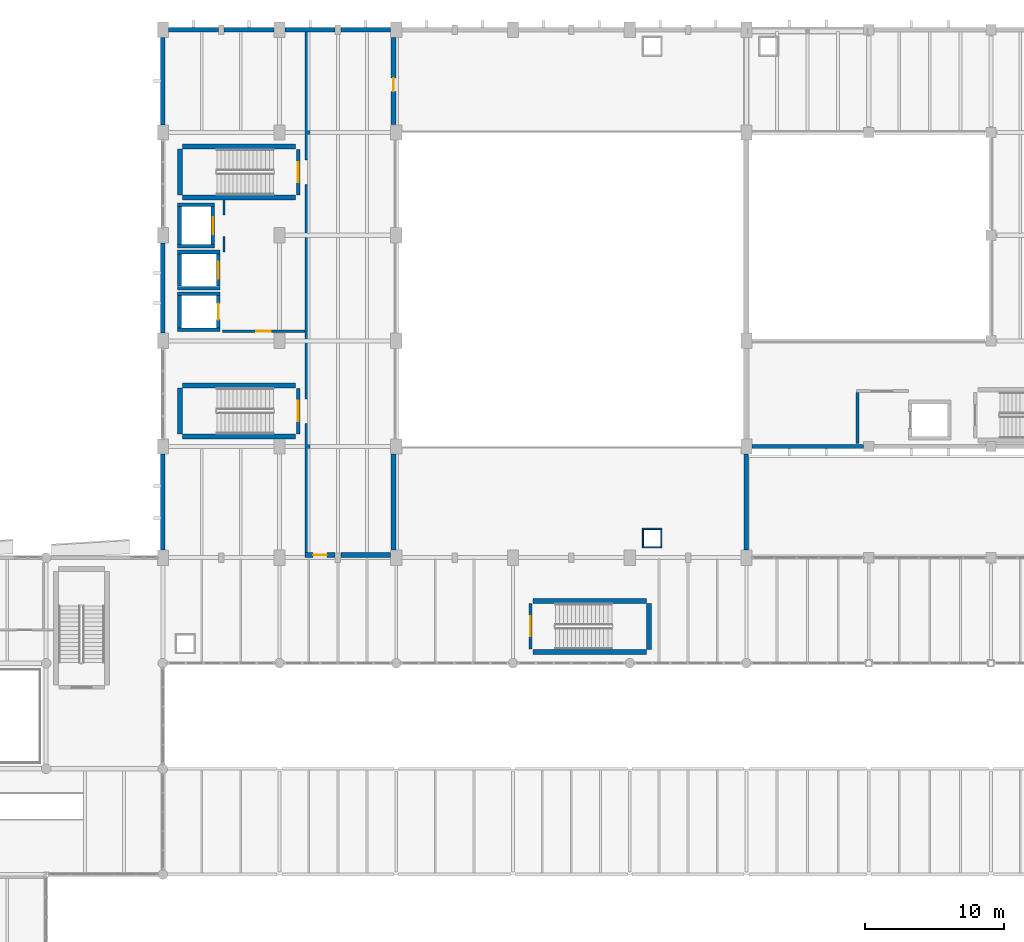
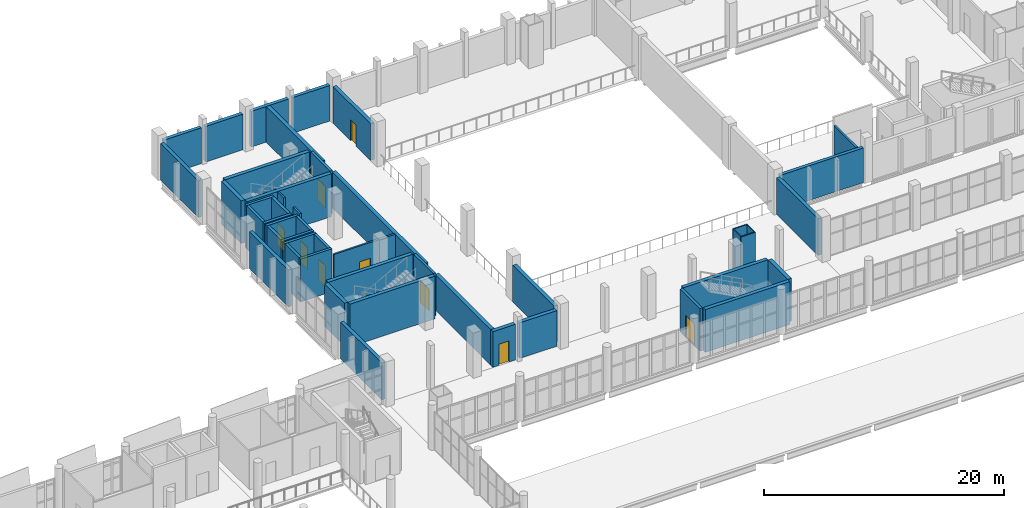
# One storey, part 120 of 136: 48 walls, 9 doors, 9 openings.
"""IFC4 building model written with IfcOpenShell, lengths in metres."""

from ifc_helpers import new_model, si_unit, direction, frame, frame_2d, origin, place, context, subcontext, project, spatial, rectangle, extrude, material, layer, layer_set, type_object, element, fill, save


model = new_model("IFC4")

# Units and contexts
model_context = context("Model", 3, precision=1e-05, world=origin(), true_north=direction((0.0, 1.0)))
body_context = subcontext(model_context, "Body", "Model", "MODEL_VIEW")
ifc_project = project(units=[si_unit("LENGTHUNIT", "METRE"), si_unit("AREAUNIT", "SQUARE_METRE"), si_unit("VOLUMEUNIT", "CUBIC_METRE"), si_unit("PLANEANGLEUNIT", "RADIAN"), si_unit("MASSUNIT", "GRAM", prefix="KILO")], contexts=[model_context])

# Site, building, storey
site_placement = place(None, origin())
site = spatial("IfcSite", under=ifc_project, at=site_placement, CompositionType="ELEMENT")
building_placement = place(site_placement, origin())
building = spatial("IfcBuilding", under=site, at=building_placement, Name="Shengluoqiao Park Theatre", CompositionType="ELEMENT")
storey_placement = place(building_placement, frame((0.0, 0.0, 10.0)))
storey = spatial("IfcBuildingStorey", under=building, at=storey_placement, Name="L02", CompositionType="ELEMENT", Elevation=10.0)

# Walls
ifc_material_1 = material(Name="Concrete C40", Category="concrete")
ifc_layer_1 = layer(ifc_material_1, 0.31005859375, Name="Concrete C40")
ifc_layer_set_1 = layer_set([ifc_layer_1], Name="Concrete C40")
wall_type_1 = type_object("IfcWallType", Name="ENV-WL-CONC310", PredefinedType="STANDARD", material=ifc_layer_set_1)
wall_1_placement = place(storey_placement, frame((86.803955078125, 84.0, 0.0), z_axis=(0.0, 0.0, 1.0), x_axis=(1.0, 0.0, 0.0)))
element("IfcWall", 1, at=wall_1_placement, inside=storey, type_object=wall_type_1, Name="L02 Exterior Wall 0068", PredefinedType="STANDARD", context=body_context, shape_type="SweptSolid", body=[
    extrude(rectangle(XDim=8.01708984375, YDim=0.31005859375, at=frame_2d((4.008544921875, 0.0))), origin(), (0.0, 0.0, 1.0), 3.528076171875),
])
ifc_material_2 = material(Name="Concrete C45", Category="concrete")
ifc_layer_2 = layer(ifc_material_2, 0.330078125, Name="Concrete C45")
ifc_layer_set_2 = layer_set([ifc_layer_2], Name="Concrete C45")
wall_type_2 = type_object("IfcWallType", Name="ENV-WL-CONC330", PredefinedType="STANDARD", material=ifc_layer_set_2)
for number, where, z_axis, x_axis, name in (
    (2, (44.803955078125, 114.0, 0.0), (0.0, 0.0, 1.0), (1.0, 0.0, 0.0), "L02 Exterior Wall 0027"),
    (3, (48.803955078125, 114.0, 0.0), (0.0, 0.0, 1.0), (1.0, 0.0, 0.0), "L02 Exterior Wall 0028"),
):
    element("IfcWall", number, at=place(storey_placement, frame(where, z_axis=z_axis, x_axis=x_axis)), inside=storey, type_object=wall_type_2, Name=name, PredefinedType="STANDARD", context=body_context, shape_type="SweptSolid", body=[
        extrude(rectangle(XDim=3.592041015625, YDim=0.330078125, at=frame_2d((1.7958984375, 0.0))), origin(), (0.0, 0.0, 1.0), 3.637939453125),
    ])
for number, where, z_axis, x_axis, name in (
    (4, (53.2041015625, 114.0, 0.0), (0.0, 0.0, 1.0), (1.0, 0.0, 0.0), "L02 Exterior Wall 0029"),
    (5, (57.2041015625, 114.0, 0.0), (0.0, 0.0, 1.0), (1.0, 0.0, 0.0), "L02 Exterior Wall 0030"),
):
    element("IfcWall", number, at=place(storey_placement, frame(where, z_axis=z_axis, x_axis=x_axis)), inside=storey, type_object=wall_type_2, Name=name, PredefinedType="STANDARD", context=body_context, shape_type="SweptSolid", body=[
        extrude(rectangle(XDim=3.591796875, YDim=0.330078125, at=frame_2d((1.7958984375, 0.0))), origin(), (0.0, 0.0, 1.0), 3.6279296875),
    ])
wall_2_placement = place(storey_placement, frame((44.39990234375, 76.553955078125, 0.0), z_axis=(0.0, 0.0, 1.0), x_axis=(0.0, 1.0, 0.0)))
element("IfcWall", 6, at=wall_2_placement, inside=storey, type_object=wall_type_2, Name="L02 Exterior Wall 0037", PredefinedType="STANDARD", context=body_context, shape_type="SweptSolid", body=[
    extrude(rectangle(XDim=6.89208984375, YDim=0.330078125, at=frame_2d((3.446044921875, 0.0))), origin(), (0.0, 0.0, 1.0), 3.75),
])
wall_3_placement = place(storey_placement, frame((44.39990234375, 92.154052734375, 0.0), z_axis=(0.0, 0.0, 1.0), x_axis=(0.0, 1.0, 0.0)))
element("IfcWall", 7, at=wall_3_placement, inside=storey, type_object=wall_type_2, Name="L02 Exterior Wall 0038", PredefinedType="STANDARD", context=body_context, shape_type="SweptSolid", body=[
    extrude(rectangle(XDim=6.491943359375, YDim=0.330078125, at=frame_2d((3.24609375, 0.0))), origin(), (0.0, 0.0, 1.0), 3.75),
])
wall_4_placement = place(storey_placement, frame((44.39990234375, 107.154052734375, 0.0), z_axis=(0.0, 0.0, 1.0), x_axis=(0.0, 1.0, 0.0)))
element("IfcWall", 8, at=wall_4_placement, inside=storey, type_object=wall_type_2, Name="L02 Exterior Wall 0039", PredefinedType="STANDARD", context=body_context, shape_type="SweptSolid", body=[
    extrude(rectangle(XDim=6.2919921875, YDim=0.330078125, at=frame_2d((3.14599609375, 0.0))), origin(), (0.0, 0.0, 1.0), 3.75),
])
wall_5_placement = place(storey_placement, frame((86.39990234375, 76.553955078125, 0.0), z_axis=(0.0, 0.0, 1.0), x_axis=(0.0, 1.0, 0.0)))
element("IfcWall", 9, at=wall_5_placement, inside=storey, type_object=wall_type_2, Name="L02 Exterior Wall 0297", PredefinedType="STANDARD", context=body_context, shape_type="SweptSolid", body=[
    extrude(rectangle(XDim=6.89208984375, YDim=0.330078125, at=frame_2d((3.446044921875, 0.0))), origin(), (0.0, 0.0, 1.0), 3.739990234375),
])

# Wall, opening, door
ifc_material_3 = material(Name="Gypsum acoustic stud", Category="gypsum")
ifc_layer_3 = layer(ifc_material_3, 0.360107421875, Name="Gypsum acoustic stud")
ifc_layer_set_3 = layer_set([ifc_layer_3], Name="Gypsum acoustic stud")
wall_type_3 = type_object("IfcWallType", Name="INT-WL-ACO360", PredefinedType="PARTITIONING", material=ifc_layer_set_3)
wall_6_placement = place(storey_placement, frame((54.6201171875, 76.199951171875, 0.0), z_axis=(0.0, 0.0, 1.0), x_axis=(1.0, 0.0, 0.0)))
wall_6 = element("IfcWall", 10, at=wall_6_placement, inside=storey, type_object=wall_type_3, Name="Second Balcony Partition S", PredefinedType="PARTITIONING", context=body_context, shape_type="SweptSolid", body=[
    extrude(rectangle(XDim=2.173828125, YDim=0.360107421875, at=frame_2d((1.0869140625, 0.0))), origin(), (0.0, 0.0, 1.0), 3.6279296875),
])
opening_1_placement = place(wall_6_placement, frame((0.596923828125, 0.0, 0.0)))
opening_1 = element("IfcOpeningElement", 11, at=opening_1_placement, cuts=wall_6, Name="Opening D-L02-067", PredefinedType="OPENING", context=body_context, shape_type="SweptSolid", body=[
    extrude(rectangle(XDim=0.97998046875, YDim=2.14990234375, at=frame_2d((0.489990234375, 1.074951171875))), frame((0.0, 0.18994140625, 0.0), z_axis=(0.0, -1.0, 0.0), x_axis=(1.0, 0.0, 0.0)), (0.0, 0.0, 1.0), 0.380126953125),
])
ifc_material_4 = material(Name="Timber veneer", Category="wood")
door_type_1 = type_object("IfcDoorType", Name="INT-DR-SNG098", OperationType="NOTDEFINED", PredefinedType="DOOR", material=ifc_material_4)
door_1_placement = place(opening_1_placement, origin())
door_1 = element("IfcDoor", 12, at=door_1_placement, inside=storey, type_object=door_type_1, Name="Second Balcony Door D-L02-067", OperationType="SINGLE_SWING_RIGHT", OverallHeight=2.14990234375, OverallWidth=0.97998046875, PredefinedType="DOOR", context=body_context, shape_type="SweptSolid", body=[
    extrude(rectangle(XDim=0.97998046875, YDim=2.14990234375, at=frame_2d((0.489990234375, 1.074951171875))), frame((0.0, 0.02490234375, 0.0), z_axis=(0.0, -1.0, 0.0), x_axis=(1.0, 0.0, 0.0)), (0.0, 0.0, 1.0), 0.050048828125),
])
fill(opening_1, door_1)

# Walls
wall_7_placement = place(storey_placement, frame((57.2060546875, 76.199951171875, 0.0), z_axis=(0.0, 0.0, 1.0), x_axis=(1.0, 0.0, 0.0)))
element("IfcWall", 13, at=wall_7_placement, inside=storey, type_object=wall_type_3, Name="Second Balcony Partition S", PredefinedType="PARTITIONING", context=body_context, shape_type="SweptSolid", body=[
    extrude(rectangle(XDim=3.5859375, YDim=0.360107421875, at=frame_2d((1.79296875, 0.0))), origin(), (0.0, 0.0, 1.0), 3.6279296875),
])
wall_8_placement = place(storey_placement, frame((54.800048828125, 87.43505859375, 0.0), z_axis=(0.0, 0.0, 1.0), x_axis=(0.0, 1.0, 0.0)))
element("IfcWall", 14, at=wall_8_placement, inside=storey, type_object=wall_type_3, Name="Second Balcony Partition W", PredefinedType="PARTITIONING", context=body_context, shape_type="SweptSolid", body=[
    extrude(rectangle(XDim=15.429931640625, YDim=0.360107421875, at=frame_2d((7.71484375, 0.0))), origin(), (0.0, 0.0, 1.0), 3.637939453125),
])
wall_9_placement = place(storey_placement, frame((61.0, 76.555908203125, 0.0), z_axis=(0.0, 0.0, 1.0), x_axis=(0.0, 1.0, 0.0)))
element("IfcWall", 15, at=wall_9_placement, inside=storey, type_object=wall_type_3, Name="Second Balcony Partition E", PredefinedType="PARTITIONING", context=body_context, shape_type="SweptSolid", body=[
    extrude(rectangle(XDim=6.88818359375, YDim=0.360107421875, at=frame_2d((3.444091796875, 0.0))), origin(), (0.0, 0.0, 1.0), 3.739990234375),
])
wall_10_placement = place(storey_placement, frame((54.800048828125, 76.385986328125, 0.0), z_axis=(0.0, 0.0, 1.0), x_axis=(0.0, 1.0, 0.0)))
element("IfcWall", 16, at=wall_10_placement, inside=storey, type_object=wall_type_3, Name="Second Balcony Partition W", PredefinedType="PARTITIONING", context=body_context, shape_type="SweptSolid", body=[
    extrude(rectangle(XDim=9.279052734375, YDim=0.360107421875, at=frame_2d((4.6396484375, 0.0))), origin(), (0.0, 0.0, 1.0), 3.6279296875),
])
wall_11_placement = place(storey_placement, frame((54.800048828125, 104.635009765625, 0.0), z_axis=(0.0, 0.0, 1.0), x_axis=(0.0, 1.0, 0.0)))
element("IfcWall", 17, at=wall_11_placement, inside=storey, type_object=wall_type_3, Name="Second Balcony Partition W", PredefinedType="PARTITIONING", context=body_context, shape_type="SweptSolid", body=[
    extrude(rectangle(XDim=9.19189453125, YDim=0.360107421875, at=frame_2d((4.595947265625, 0.0))), origin(), (0.0, 0.0, 1.0), 3.6279296875),
])

# Wall, opening, door
wall_12_placement = place(storey_placement, frame((61.0, 107.156005859375, 0.0), z_axis=(0.0, 0.0, 1.0), x_axis=(0.0, 1.0, 0.0)))
wall_12 = element("IfcWall", 18, at=wall_12_placement, inside=storey, type_object=wall_type_3, Name="Second Balcony Partition E", PredefinedType="PARTITIONING", context=body_context, shape_type="SweptSolid", body=[
    extrude(rectangle(XDim=6.2880859375, YDim=0.360107421875, at=frame_2d((3.14404296875, 0.0))), origin(), (0.0, 0.0, 1.0), 3.739990234375),
])
opening_2_placement = place(wall_12_placement, frame((2.39990234375, 0.0, 0.0)))
opening_2 = element("IfcOpeningElement", 19, at=opening_2_placement, cuts=wall_12, Name="Opening D-L02-111", PredefinedType="OPENING", context=body_context, shape_type="SweptSolid", body=[
    extrude(rectangle(XDim=0.949951171875, YDim=2.14990234375, at=frame_2d((0.47509765625, 1.074951171875))), frame((0.0, 0.18994140625, 0.0), z_axis=(0.0, -1.0, 0.0), x_axis=(1.0, 0.0, 0.0)), (0.0, 0.0, 1.0), 0.380126953125),
])
door_type_2 = type_object("IfcDoorType", Name="INT-DR-SNG095", OperationType="NOTDEFINED", PredefinedType="DOOR", material=ifc_material_4)
door_2_placement = place(opening_2_placement, origin())
door_2 = element("IfcDoor", 20, at=door_2_placement, inside=storey, type_object=door_type_2, Name="Second Balcony North Slip Door D-L02-111", OperationType="SINGLE_SWING_RIGHT", OverallHeight=2.14990234375, OverallWidth=0.949951171875, PredefinedType="DOOR", context=body_context, shape_type="SweptSolid", body=[
    extrude(rectangle(XDim=0.949951171875, YDim=2.14990234375, at=frame_2d((0.47509765625, 1.074951171875))), frame((0.0, 0.02490234375, 0.0), z_axis=(0.0, -1.0, 0.0), x_axis=(1.0, 0.0, 0.0)), (0.0, 0.0, 1.0), 0.050048828125),
])
fill(opening_2, door_2)

ifc_layer_4 = layer(ifc_material_3, 0.175048828125, Name="Gypsum acoustic stud")
ifc_layer_set_4 = layer_set([ifc_layer_4], Name="Gypsum acoustic stud")
wall_type_4 = type_object("IfcWallType", Name="INT-WL-COR175", PredefinedType="PARTITIONING", material=ifc_layer_set_4)
wall_13_placement = place(storey_placement, frame((48.679931640625, 92.300048828125, 0.0), z_axis=(0.0, 0.0, 1.0), x_axis=(1.0, 0.0, 0.0)))
wall_13 = element("IfcWall", 21, at=wall_13_placement, inside=storey, type_object=wall_type_4, Name="Auditorium Sound Mixing Booth Partition S", PredefinedType="PARTITIONING", context=body_context, shape_type="SweptSolid", body=[
    extrude(rectangle(XDim=5.93212890625, YDim=0.175048828125, at=frame_2d((2.966064453125, 0.0))), origin(), (0.0, 0.0, 1.0), 3.75),
])
opening_3_placement = place(wall_13_placement, frame((2.43603515625, 0.0, 0.0)))
opening_3 = element("IfcOpeningElement", 22, at=opening_3_placement, cuts=wall_13, Name="Opening D-L02-068", PredefinedType="OPENING", context=body_context, shape_type="SweptSolid", body=[
    extrude(rectangle(XDim=1.06005859375, YDim=2.14990234375, at=frame_2d((0.530029296875, 1.074951171875))), frame((0.0, 0.097412109375, 0.0), z_axis=(0.0, -1.0, 0.0), x_axis=(1.0, 0.0, 0.0)), (0.0, 0.0, 1.0), 0.195068359375),
])
ifc_material_5 = material(Name="Acoustic timber", Category="wood")
door_type_3 = type_object("IfcDoorType", Name="INT-DR-SNG106", OperationType="NOTDEFINED", PredefinedType="DOOR", material=ifc_material_5)
door_3_placement = place(opening_3_placement, origin())
door_3 = element("IfcDoor", 23, at=door_3_placement, inside=storey, type_object=door_type_3, Name="Auditorium Sound Mixing Booth Door D-L02-068", OperationType="SINGLE_SWING_LEFT", OverallHeight=2.14990234375, OverallWidth=1.06005859375, PredefinedType="DOOR", context=body_context, shape_type="SweptSolid", body=[
    extrude(rectangle(XDim=1.06005859375, YDim=2.14990234375, at=frame_2d((0.530029296875, 1.074951171875))), frame((0.0, 0.02490234375, 0.0), z_axis=(0.0, -1.0, 0.0), x_axis=(1.0, 0.0, 0.0)), (0.0, 0.0, 1.0), 0.050048828125),
])
fill(opening_3, door_3)

# Walls
wall_14_placement = place(storey_placement, frame((48.800048828125, 98.013916015625, 0.0), z_axis=(0.0, 0.0, 1.0), x_axis=(0.0, 1.0, 0.0)))
element("IfcWall", 24, at=wall_14_placement, inside=storey, type_object=wall_type_4, Name="Auditorium Sound Mixing Booth Partition W", PredefinedType="PARTITIONING", context=body_context, shape_type="SweptSolid", body=[
    extrude(rectangle(XDim=1.115966796875, YDim=0.175048828125, at=frame_2d((0.55810546875, 0.0))), origin(), (0.0, 0.0, 1.0), 4.360107421875),
])
wall_15_placement = place(storey_placement, frame((48.800048828125, 100.669921875, 0.0), z_axis=(0.0, 0.0, 1.0), x_axis=(0.0, 1.0, 0.0)))
element("IfcWall", 25, at=wall_15_placement, inside=storey, type_object=wall_type_4, Name="Auditorium Sound Mixing Booth Partition W", PredefinedType="PARTITIONING", context=body_context, shape_type="SweptSolid", body=[
    extrude(rectangle(XDim=1.067138671875, YDim=0.175048828125, at=frame_2d((0.53369140625, 0.0))), origin(), (0.0, 0.0, 1.0), 4.360107421875),
])
ifc_material_6 = material(Name="Concrete blockwork B06", Category="masonry")
ifc_layer_5 = layer(ifc_material_6, 0.195068359375, Name="Concrete blockwork B06")
ifc_layer_set_5 = layer_set([ifc_layer_5], Name="Concrete blockwork B06")
wall_type_5 = type_object("IfcWallType", Name="INT-WL-FFL195", PredefinedType="PARTITIONING", material=ifc_layer_set_5)
wall_16_placement = place(storey_placement, frame((94.39990234375, 84.219970703125, 0.0), z_axis=(0.0, 0.0, 1.0), x_axis=(0.0, 1.0, 0.0)))
element("IfcWall", 26, at=wall_16_placement, inside=storey, type_object=wall_type_5, Name="L02 Firefighting Lift Lobby FF1 Fire Wall W", PredefinedType="PARTITIONING", context=body_context, shape_type="SweptSolid", body=[
    extrude(rectangle(XDim=3.675048828125, YDim=0.195068359375, at=frame_2d((1.83740234375, 0.0))), origin(), (0.0, 0.0, 1.0), 3.528076171875),
])
ifc_material_7 = material(Name="Gypsum shaftwall", Category="gypsum")
ifc_layer_6 = layer(ifc_material_7, 0.094970703125, Name="Gypsum shaftwall")
ifc_layer_set_6 = layer_set([ifc_layer_6], Name="Gypsum shaftwall")
wall_type_6 = type_object("IfcWallType", Name="INT-WL-RSR095", PredefinedType="PARTITIONING", material=ifc_layer_set_6)
for number, where, z_axis, x_axis, name in (
    (27, (78.905029296875, 76.75, 0.0), (0.0, 0.0, 1.0), (1.0, 0.0, 0.0), "L02 Service Riser Shaftwall 101"),
    (28, (78.905029296875, 78.070068359375, 0.0), (0.0, 0.0, 1.0), (1.0, 0.0, 0.0), "L02 Service Riser Shaftwall 102"),
):
    element("IfcWall", number, at=place(storey_placement, frame(where, z_axis=z_axis, x_axis=x_axis)), inside=storey, type_object=wall_type_6, Name=name, PredefinedType="PARTITIONING", context=body_context, shape_type="SweptSolid", body=[
        extrude(rectangle(XDim=1.409912109375, YDim=0.094970703125, at=frame_2d((0.705078125, 0.0))), origin(), (0.0, 0.0, 1.0), 4.360107421875),
    ])
for number, where, z_axis, x_axis, name in (
    (29, (78.949951171875, 76.804931640625, 0.0), (0.0, 0.0, 1.0), (0.0, 1.0, 0.0), "L02 Service Riser Shaftwall 103"),
    (30, (80.27001953125, 76.804931640625, 0.0), (0.0, 0.0, 1.0), (0.0, 1.0, 0.0), "L02 Service Riser Shaftwall 104"),
):
    element("IfcWall", number, at=place(storey_placement, frame(where, z_axis=z_axis, x_axis=x_axis)), inside=storey, type_object=wall_type_6, Name=name, PredefinedType="PARTITIONING", context=body_context, shape_type="SweptSolid", body=[
        extrude(rectangle(XDim=1.2099609375, YDim=0.094970703125, at=frame_2d((0.60498046875, 0.0))), origin(), (0.0, 0.0, 1.0), 4.360107421875),
    ])
ifc_layer_7 = layer(ifc_material_1, 0.260009765625, Name="Concrete C40")
ifc_layer_set_7 = layer_set([ifc_layer_7], Name="Concrete C40")
wall_type_7 = type_object("IfcWallType", Name="INT-WL-SHF260", PredefinedType="STANDARD", material=ifc_layer_set_7)
for number, where, z_axis, x_axis, name in (
    (31, (45.469970703125, 92.39990234375, 0.0), (0.0, 0.0, 1.0), (1.0, 0.0, 0.0), "L02 PL3 Lift Shaft Wall South"),
    (32, (45.469970703125, 95.0, 0.0), (0.0, 0.0, 1.0), (1.0, 0.0, 0.0), "L02 PL3 Lift Shaft Wall North"),
):
    element("IfcWall", number, at=place(storey_placement, frame(where, z_axis=z_axis, x_axis=x_axis)), inside=storey, type_object=wall_type_7, Name=name, PredefinedType="STANDARD", context=body_context, shape_type="SweptSolid", body=[
        extrude(rectangle(XDim=3.06005859375, YDim=0.260009765625, at=frame_2d((1.530029296875, 0.0))), origin(), (0.0, 0.0, 1.0), 4.360107421875),
    ])
wall_17_placement = place(storey_placement, frame((45.60009765625, 92.535888671875, 0.0), z_axis=(0.0, 0.0, 1.0), x_axis=(0.0, 1.0, 0.0)))
element("IfcWall", 33, at=wall_17_placement, inside=storey, type_object=wall_type_7, Name="L02 PL3 Lift Shaft Wall West", PredefinedType="STANDARD", context=body_context, shape_type="SweptSolid", body=[
    extrude(rectangle(XDim=2.328125, YDim=0.260009765625, at=frame_2d((1.1640625, 0.0))), origin(), (0.0, 0.0, 1.0), 4.360107421875),
])

# Wall, opening, door
wall_18_placement = place(storey_placement, frame((48.39990234375, 92.535888671875, 0.0), z_axis=(0.0, 0.0, 1.0), x_axis=(0.0, 1.0, 0.0)))
wall_18 = element("IfcWall", 34, at=wall_18_placement, inside=storey, type_object=wall_type_7, Name="L02 PL3 Lift Shaft Wall East", PredefinedType="STANDARD", context=body_context, shape_type="SweptSolid", body=[
    extrude(rectangle(XDim=2.328125, YDim=0.260009765625, at=frame_2d((1.1640625, 0.0))), origin(), (0.0, 0.0, 1.0), 4.360107421875),
])
opening_4_placement = place(wall_18_placement, frame((0.589111328125, 0.0, 0.0)))
opening_4 = element("IfcOpeningElement", 35, at=opening_4_placement, cuts=wall_18, Name="Opening LD-PL3-L02", PredefinedType="OPENING", context=body_context, shape_type="SweptSolid", body=[
    extrude(rectangle(XDim=1.14990234375, YDim=2.14990234375, at=frame_2d((0.574951171875, 1.074951171875))), frame((0.0, 0.139892578125, 0.0), z_axis=(0.0, -1.0, 0.0), x_axis=(1.0, 0.0, 0.0)), (0.0, 0.0, 1.0), 0.280029296875),
])
ifc_material_8 = material(Name="Stainless steel 304", Category="steel")
door_type_4 = type_object("IfcDoorType", Name="INT-DR-LD115", OperationType="SLIDING_TO_LEFT", PredefinedType="DOOR", material=ifc_material_8)
door_4_placement = place(opening_4_placement, origin())
door_4 = element("IfcDoor", 36, at=door_4_placement, inside=storey, type_object=door_type_4, Name="PL3 Lift Landing Door LD-PL3-L02", OperationType="SLIDING_TO_LEFT", OverallHeight=2.14990234375, OverallWidth=1.14990234375, PredefinedType="DOOR", context=body_context, shape_type="SweptSolid", body=[
    extrude(rectangle(XDim=1.14990234375, YDim=2.14990234375, at=frame_2d((0.574951171875, 1.074951171875))), frame((0.0, 0.02490234375, 0.0), z_axis=(0.0, -1.0, 0.0), x_axis=(1.0, 0.0, 0.0)), (0.0, 0.0, 1.0), 0.050048828125),
])
fill(opening_4, door_4)

# Walls
for number, where, z_axis, x_axis, name in (
    (37, (45.469970703125, 95.39990234375, 0.0), (0.0, 0.0, 1.0), (1.0, 0.0, 0.0), "L02 PL4 Lift Shaft Wall South"),
    (38, (45.469970703125, 98.0, 0.0), (0.0, 0.0, 1.0), (1.0, 0.0, 0.0), "L02 PL4 Lift Shaft Wall North"),
):
    element("IfcWall", number, at=place(storey_placement, frame(where, z_axis=z_axis, x_axis=x_axis)), inside=storey, type_object=wall_type_7, Name=name, PredefinedType="STANDARD", context=body_context, shape_type="SweptSolid", body=[
        extrude(rectangle(XDim=3.06005859375, YDim=0.260009765625, at=frame_2d((1.530029296875, 0.0))), origin(), (0.0, 0.0, 1.0), 4.360107421875),
    ])
wall_19_placement = place(storey_placement, frame((45.60009765625, 95.535888671875, 0.0), z_axis=(0.0, 0.0, 1.0), x_axis=(0.0, 1.0, 0.0)))
element("IfcWall", 39, at=wall_19_placement, inside=storey, type_object=wall_type_7, Name="L02 PL4 Lift Shaft Wall West", PredefinedType="STANDARD", context=body_context, shape_type="SweptSolid", body=[
    extrude(rectangle(XDim=2.328125, YDim=0.260009765625, at=frame_2d((1.1640625, 0.0))), origin(), (0.0, 0.0, 1.0), 4.360107421875),
])

# Wall, opening, door
wall_20_placement = place(storey_placement, frame((48.39990234375, 95.535888671875, 0.0), z_axis=(0.0, 0.0, 1.0), x_axis=(0.0, 1.0, 0.0)))
wall_20 = element("IfcWall", 40, at=wall_20_placement, inside=storey, type_object=wall_type_7, Name="L02 PL4 Lift Shaft Wall East", PredefinedType="STANDARD", context=body_context, shape_type="SweptSolid", body=[
    extrude(rectangle(XDim=2.328125, YDim=0.260009765625, at=frame_2d((1.1640625, 0.0))), origin(), (0.0, 0.0, 1.0), 4.360107421875),
])
opening_5_placement = place(wall_20_placement, frame((0.553955078125, 0.0, 0.0)))
opening_5 = element("IfcOpeningElement", 41, at=opening_5_placement, cuts=wall_20, Name="Opening LD-PL4-L02", PredefinedType="OPENING", context=body_context, shape_type="SweptSolid", body=[
    extrude(rectangle(XDim=1.219970703125, YDim=2.199951171875, at=frame_2d((0.60986328125, 1.10009765625))), frame((0.0, 0.139892578125, 0.0), z_axis=(0.0, -1.0, 0.0), x_axis=(1.0, 0.0, 0.0)), (0.0, 0.0, 1.0), 0.280029296875),
])
door_type_5 = type_object("IfcDoorType", Name="INT-DR-LD122", OperationType="SLIDING_TO_RIGHT", PredefinedType="DOOR", material=ifc_material_8)
door_5_placement = place(opening_5_placement, origin())
door_5 = element("IfcDoor", 42, at=door_5_placement, inside=storey, type_object=door_type_5, Name="PL4 Lift Landing Door LD-PL4-L02", OperationType="SLIDING_TO_RIGHT", OverallHeight=2.199951171875, OverallWidth=1.219970703125, PredefinedType="DOOR", context=body_context, shape_type="SweptSolid", body=[
    extrude(rectangle(XDim=1.219970703125, YDim=2.199951171875, at=frame_2d((0.60986328125, 1.10009765625))), frame((0.0, 0.02490234375, 0.0), z_axis=(0.0, -1.0, 0.0), x_axis=(1.0, 0.0, 0.0)), (0.0, 0.0, 1.0), 0.050048828125),
])
fill(opening_5, door_5)

# Walls
for number, where, z_axis, x_axis, name in (
    (43, (45.469970703125, 98.39990234375, 0.0), (0.0, 0.0, 1.0), (1.0, 0.0, 0.0), "L02 AL1 Lift Shaft Wall South"),
    (44, (45.469970703125, 101.39990234375, 0.0), (0.0, 0.0, 1.0), (1.0, 0.0, 0.0), "L02 AL1 Lift Shaft Wall North"),
):
    element("IfcWall", number, at=place(storey_placement, frame(where, z_axis=z_axis, x_axis=x_axis)), inside=storey, type_object=wall_type_7, Name=name, PredefinedType="STANDARD", context=body_context, shape_type="SweptSolid", body=[
        extrude(rectangle(XDim=2.659912109375, YDim=0.260009765625, at=frame_2d((1.330078125, 0.0))), origin(), (0.0, 0.0, 1.0), 4.360107421875),
    ])
wall_21_placement = place(storey_placement, frame((45.60009765625, 98.535888671875, 0.0), z_axis=(0.0, 0.0, 1.0), x_axis=(0.0, 1.0, 0.0)))
element("IfcWall", 45, at=wall_21_placement, inside=storey, type_object=wall_type_7, Name="L02 AL1 Lift Shaft Wall West", PredefinedType="STANDARD", context=body_context, shape_type="SweptSolid", body=[
    extrude(rectangle(XDim=2.72802734375, YDim=0.260009765625, at=frame_2d((1.364013671875, 0.0))), origin(), (0.0, 0.0, 1.0), 4.360107421875),
])

# Wall, opening, door
wall_22_placement = place(storey_placement, frame((48.0, 98.535888671875, 0.0), z_axis=(0.0, 0.0, 1.0), x_axis=(0.0, 1.0, 0.0)))
wall_22 = element("IfcWall", 46, at=wall_22_placement, inside=storey, type_object=wall_type_7, Name="L02 AL1 Lift Shaft Wall East", PredefinedType="STANDARD", context=body_context, shape_type="SweptSolid", body=[
    extrude(rectangle(XDim=2.72802734375, YDim=0.260009765625, at=frame_2d((1.364013671875, 0.0))), origin(), (0.0, 0.0, 1.0), 4.360107421875),
])
opening_6_placement = place(wall_22_placement, frame((0.75390625, 0.0, 0.0)))
opening_6 = element("IfcOpeningElement", 47, at=opening_6_placement, cuts=wall_22, Name="Opening LD-AL1-L02", PredefinedType="OPENING", context=body_context, shape_type="SweptSolid", body=[
    extrude(rectangle(XDim=1.219970703125, YDim=2.199951171875, at=frame_2d((0.60986328125, 1.10009765625))), frame((0.0, 0.139892578125, 0.0), z_axis=(0.0, -1.0, 0.0), x_axis=(1.0, 0.0, 0.0)), (0.0, 0.0, 1.0), 0.280029296875),
])
door_6_placement = place(opening_6_placement, origin())
door_6 = element("IfcDoor", 48, at=door_6_placement, inside=storey, type_object=door_type_5, Name="AL1 Lift Landing Door LD-AL1-L02", OperationType="SLIDING_TO_LEFT", OverallHeight=2.199951171875, OverallWidth=1.219970703125, PredefinedType="DOOR", context=body_context, shape_type="SweptSolid", body=[
    extrude(rectangle(XDim=1.219970703125, YDim=2.199951171875, at=frame_2d((0.60986328125, 1.10009765625))), frame((0.0, 0.02490234375, 0.0), z_axis=(0.0, -1.0, 0.0), x_axis=(1.0, 0.0, 0.0)), (0.0, 0.0, 1.0), 0.050048828125),
])
fill(opening_6, door_6)

ifc_layer_8 = layer(ifc_material_1, 0.239990234375, Name="Concrete C40")
ifc_layer_set_8 = layer_set([ifc_layer_8], Name="Concrete C40")
wall_type_8 = type_object("IfcWallType", Name="INT-WL-STW240", PredefinedType="STANDARD", material=ifc_layer_set_8)
wall_23_placement = place(storey_placement, frame((54.139892578125, 88.18994140625, 0.0), z_axis=(0.0, 0.0, 1.0), x_axis=(0.0, -1.0, 0.0)))
wall_23 = element("IfcWall", 49, at=wall_23_placement, inside=storey, type_object=wall_type_8, Name="L02 ST-02 Stairwell Fire Wall", PredefinedType="STANDARD", context=body_context, shape_type="SweptSolid", body=[
    extrude(rectangle(XDim=3.280029296875, YDim=0.239990234375, at=frame_2d((1.64013671875, 0.0))), origin(), (0.0, 0.0, 1.0), 4.360107421875),
])
opening_7_placement = place(wall_23_placement, frame((0.9150390625, 0.0, 0.0)))
opening_7 = element("IfcOpeningElement", 50, at=opening_7_placement, cuts=wall_23, Name="Opening SD-02-L02", PredefinedType="OPENING", context=body_context, shape_type="SweptSolid", body=[
    extrude(rectangle(XDim=1.449951171875, YDim=2.199951171875, at=frame_2d((0.72509765625, 1.10009765625))), frame((0.0, 0.1298828125, 0.0), z_axis=(0.0, -1.0, 0.0), x_axis=(1.0, 0.0, 0.0)), (0.0, 0.0, 1.0), 0.260009765625),
])
ifc_material_9 = material(Name="Steel Q355", Category="steel")
door_type_6 = type_object("IfcDoorType", Name="INT-DR-STW145", OperationType="DOUBLE_DOOR_SINGLE_SWING", PredefinedType="DOOR", material=ifc_material_9)
door_7_placement = place(opening_7_placement, origin())
door_7 = element("IfcDoor", 51, at=door_7_placement, inside=storey, type_object=door_type_6, Name="L02 ST-02 Escape Stair Door SD-02-L02", OperationType="DOUBLE_DOOR_SINGLE_SWING", OverallHeight=2.199951171875, OverallWidth=1.449951171875, PredefinedType="DOOR", context=body_context, shape_type="SweptSolid", body=[
    extrude(rectangle(XDim=1.449951171875, YDim=2.199951171875, at=frame_2d((0.72509765625, 1.10009765625))), frame((0.0, 0.02490234375, 0.0), z_axis=(0.0, -1.0, 0.0), x_axis=(1.0, 0.0, 0.0)), (0.0, 0.0, 1.0), 0.050048828125),
])
fill(opening_7, door_7)

wall_24_placement = place(storey_placement, frame((54.139892578125, 105.389892578125, 0.0), z_axis=(0.0, 0.0, 1.0), x_axis=(0.0, -1.0, 0.0)))
wall_24 = element("IfcWall", 52, at=wall_24_placement, inside=storey, type_object=wall_type_8, Name="L02 ST-03 Stairwell Fire Wall", PredefinedType="STANDARD", context=body_context, shape_type="SweptSolid", body=[
    extrude(rectangle(XDim=3.27978515625, YDim=0.239990234375, at=frame_2d((1.639892578125, 0.0))), origin(), (0.0, 0.0, 1.0), 4.360107421875),
])
opening_8_placement = place(wall_24_placement, frame((0.9150390625, 0.0, 0.0)))
opening_8 = element("IfcOpeningElement", 53, at=opening_8_placement, cuts=wall_24, Name="Opening SD-03-L02", PredefinedType="OPENING", context=body_context, shape_type="SweptSolid", body=[
    extrude(rectangle(XDim=1.449951171875, YDim=2.199951171875, at=frame_2d((0.72509765625, 1.10009765625))), frame((0.0, 0.1298828125, 0.0), z_axis=(0.0, -1.0, 0.0), x_axis=(1.0, 0.0, 0.0)), (0.0, 0.0, 1.0), 0.260009765625),
])
door_8_placement = place(opening_8_placement, origin())
door_8 = element("IfcDoor", 54, at=door_8_placement, inside=storey, type_object=door_type_6, Name="L02 ST-03 Escape Stair Door SD-03-L02", OperationType="DOUBLE_DOOR_SINGLE_SWING", OverallHeight=2.199951171875, OverallWidth=1.449951171875, PredefinedType="DOOR", context=body_context, shape_type="SweptSolid", body=[
    extrude(rectangle(XDim=1.449951171875, YDim=2.199951171875, at=frame_2d((0.72509765625, 1.10009765625))), frame((0.0, 0.02490234375, 0.0), z_axis=(0.0, -1.0, 0.0), x_axis=(1.0, 0.0, 0.0)), (0.0, 0.0, 1.0), 0.050048828125),
])
fill(opening_8, door_8)

wall_25_placement = place(storey_placement, frame((70.860107421875, 69.409912109375, 0.0), z_axis=(0.0, 0.0, 1.0), x_axis=(0.0, 1.0, 0.0)))
wall_25 = element("IfcWall", 55, at=wall_25_placement, inside=storey, type_object=wall_type_8, Name="L02 ST-11 Stairwell Fire Wall", PredefinedType="STANDARD", context=body_context, shape_type="SweptSolid", body=[
    extrude(rectangle(XDim=3.280029296875, YDim=0.239990234375, at=frame_2d((1.64013671875, 0.0))), origin(), (0.0, 0.0, 1.0), 4.360107421875),
])
opening_9_placement = place(wall_25_placement, frame((0.9150390625, 0.0, 0.0)))
opening_9 = element("IfcOpeningElement", 56, at=opening_9_placement, cuts=wall_25, Name="Opening SD-11-L02", PredefinedType="OPENING", context=body_context, shape_type="SweptSolid", body=[
    extrude(rectangle(XDim=1.449951171875, YDim=2.199951171875, at=frame_2d((0.72509765625, 1.10009765625))), frame((0.0, 0.1298828125, 0.0), z_axis=(0.0, -1.0, 0.0), x_axis=(1.0, 0.0, 0.0)), (0.0, 0.0, 1.0), 0.260009765625),
])
door_9_placement = place(opening_9_placement, origin())
door_9 = element("IfcDoor", 57, at=door_9_placement, inside=storey, type_object=door_type_6, Name="L02 ST-11 Escape Stair Door SD-11-L02", OperationType="DOUBLE_DOOR_SINGLE_SWING", OverallHeight=2.199951171875, OverallWidth=1.449951171875, PredefinedType="DOOR", context=body_context, shape_type="SweptSolid", body=[
    extrude(rectangle(XDim=1.449951171875, YDim=2.199951171875, at=frame_2d((0.72509765625, 1.10009765625))), frame((0.0, 0.02490234375, 0.0), z_axis=(0.0, -1.0, 0.0), x_axis=(1.0, 0.0, 0.0)), (0.0, 0.0, 1.0), 0.050048828125),
])
fill(opening_9, door_9)

# Walls
ifc_material_10 = material(Name="Concrete C50", Category="concrete")
ifc_layer_9 = layer(ifc_material_10, 0.35009765625, Name="Concrete C50")
ifc_layer_set_9 = layer_set([ifc_layer_9], Name="Concrete C50")
wall_type_9 = type_object("IfcWallType", Name="STR-SW-CORE350", PredefinedType="SHEAR", material=ifc_layer_set_9)
wall_26_placement = place(storey_placement, frame((53.949951171875, 88.3798828125, 0.0), z_axis=(0.0, 0.0, 1.0), x_axis=(-1.0, 0.0, 0.0)))
element("IfcWall", 58, at=wall_26_placement, inside=storey, type_object=wall_type_9, Name="L02 ST-02 Core Left Shear Wall 0046", PredefinedType="SHEAR", context=body_context, shape_type="SweptSolid", body=[
    extrude(rectangle(XDim=8.14990234375, YDim=0.35009765625, at=frame_2d((4.074951171875, 0.0))), origin(), (0.0, 0.0, 1.0), 4.360107421875),
])
wall_27_placement = place(storey_placement, frame((45.6201171875, 88.199951171875, 0.0), z_axis=(0.0, 0.0, 1.0), x_axis=(0.0, -1.0, 0.0)))
element("IfcWall", 59, at=wall_27_placement, inside=storey, type_object=wall_type_9, Name="L02 ST-02 Core Far Shear Wall 0047", PredefinedType="SHEAR", context=body_context, shape_type="SweptSolid", body=[
    extrude(rectangle(XDim=3.300048828125, YDim=0.35009765625, at=frame_2d((1.64990234375, 0.0))), origin(), (0.0, 0.0, 1.0), 4.360107421875),
])
for number, where, z_axis, x_axis, name in (
    (60, (45.800048828125, 84.719970703125, 0.0), (0.0, 0.0, 1.0), (1.0, 0.0, 0.0), "L02 ST-02 Core Right Shear Wall 0048"),
    (61, (53.949951171875, 105.580078125, 0.0), (0.0, 0.0, 1.0), (-1.0, 0.0, 0.0), "L02 ST-03 Core Left Shear Wall 0064"),
):
    element("IfcWall", number, at=place(storey_placement, frame(where, z_axis=z_axis, x_axis=x_axis)), inside=storey, type_object=wall_type_9, Name=name, PredefinedType="SHEAR", context=body_context, shape_type="SweptSolid", body=[
        extrude(rectangle(XDim=8.14990234375, YDim=0.35009765625, at=frame_2d((4.074951171875, 0.0))), origin(), (0.0, 0.0, 1.0), 4.360107421875),
    ])
wall_28_placement = place(storey_placement, frame((45.6201171875, 105.39990234375, 0.0), z_axis=(0.0, 0.0, 1.0), x_axis=(0.0, -1.0, 0.0)))
element("IfcWall", 62, at=wall_28_placement, inside=storey, type_object=wall_type_9, Name="L02 ST-03 Core Far Shear Wall 0065", PredefinedType="SHEAR", context=body_context, shape_type="SweptSolid", body=[
    extrude(rectangle(XDim=3.2998046875, YDim=0.35009765625, at=frame_2d((1.64990234375, 0.0))), origin(), (0.0, 0.0, 1.0), 4.360107421875),
])
for number, where, z_axis, x_axis, name in (
    (63, (45.800048828125, 101.919921875, 0.0), (0.0, 0.0, 1.0), (1.0, 0.0, 0.0), "L02 ST-03 Core Right Shear Wall 0066"),
    (64, (71.050048828125, 69.219970703125, 0.0), (0.0, 0.0, 1.0), (1.0, 0.0, 0.0), "L02 ST-11 Core Left Shear Wall 0154"),
):
    element("IfcWall", number, at=place(storey_placement, frame(where, z_axis=z_axis, x_axis=x_axis)), inside=storey, type_object=wall_type_9, Name=name, PredefinedType="SHEAR", context=body_context, shape_type="SweptSolid", body=[
        extrude(rectangle(XDim=8.14990234375, YDim=0.35009765625, at=frame_2d((4.074951171875, 0.0))), origin(), (0.0, 0.0, 1.0), 4.360107421875),
    ])
wall_29_placement = place(storey_placement, frame((79.3798828125, 69.39990234375, 0.0), z_axis=(0.0, 0.0, 1.0), x_axis=(0.0, 1.0, 0.0)))
element("IfcWall", 65, at=wall_29_placement, inside=storey, type_object=wall_type_9, Name="L02 ST-11 Core Far Shear Wall 0155", PredefinedType="SHEAR", context=body_context, shape_type="SweptSolid", body=[
    extrude(rectangle(XDim=3.300048828125, YDim=0.35009765625, at=frame_2d((1.64990234375, 0.0))), origin(), (0.0, 0.0, 1.0), 4.360107421875),
])
wall_30_placement = place(storey_placement, frame((79.199951171875, 72.8798828125, 0.0), z_axis=(0.0, 0.0, 1.0), x_axis=(-1.0, 0.0, 0.0)))
element("IfcWall", 66, at=wall_30_placement, inside=storey, type_object=wall_type_9, Name="L02 ST-11 Core Right Shear Wall 0156", PredefinedType="SHEAR", context=body_context, shape_type="SweptSolid", body=[
    extrude(rectangle(XDim=8.14990234375, YDim=0.35009765625, at=frame_2d((4.074951171875, 0.0))), origin(), (0.0, 0.0, 1.0), 4.360107421875),
])

save(model, "model.ifc")
